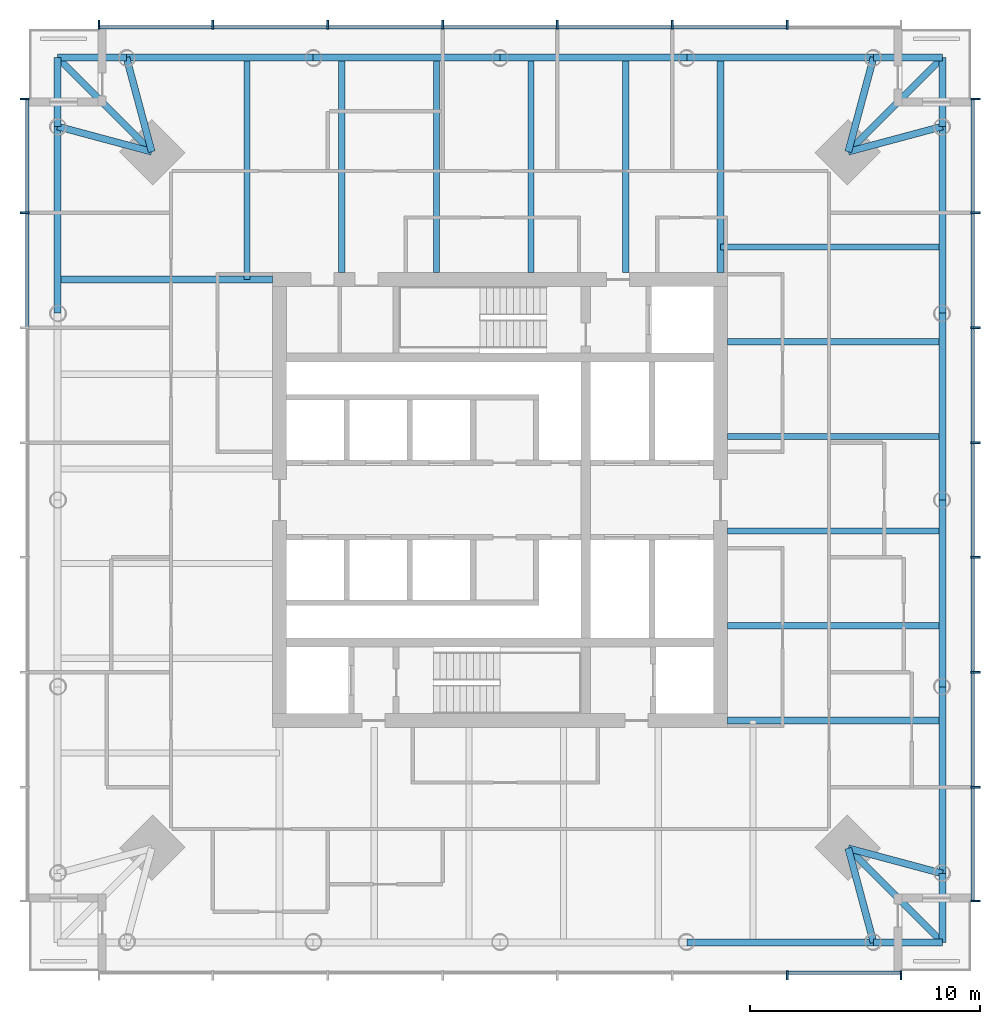
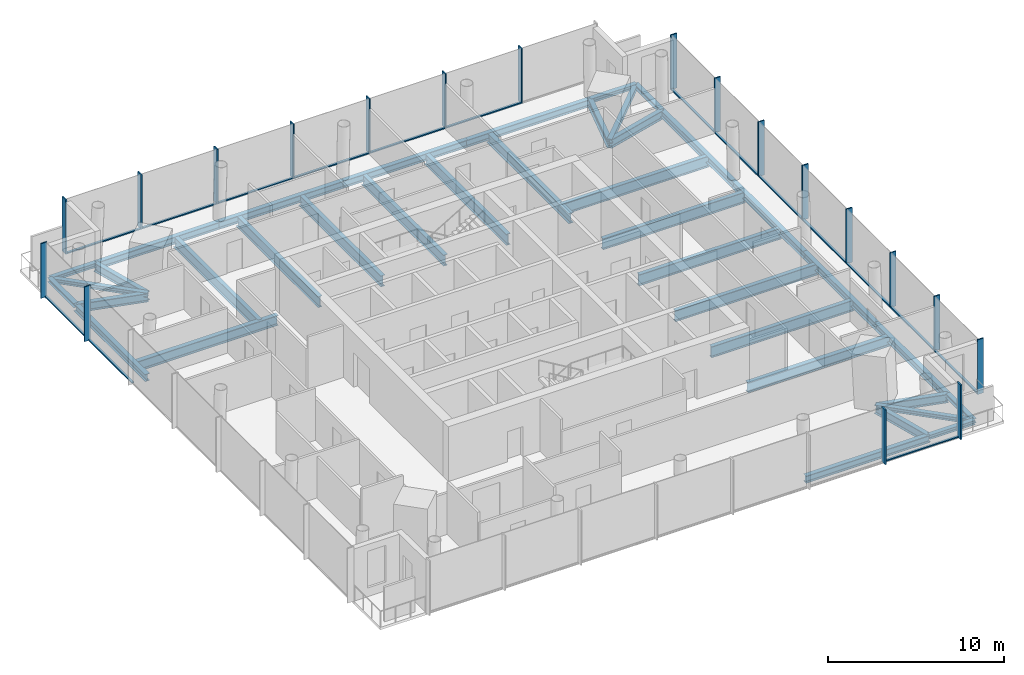
# One storey, part 2 of 8: 38 beams, 35 members, 4 elements without a shape of their own.
"""IFC4 building model written with IfcOpenShell, lengths in metres."""

from ifc_helpers import new_model, si_unit, direction, frame, origin, origin_2d, place, context, subcontext, project, spatial, rectangle, i_section, extrude, material, material_profile, profile_set, type_object, element, aggregate, save


model = new_model("IFC4")

# Units and contexts
model_context = context("Model", 3, precision=1e-05, world=origin(), true_north=direction((0.0, 1.0)))
body_context = subcontext(model_context, "Body", "Model", "MODEL_VIEW")
ifc_project = project(units=[si_unit("LENGTHUNIT", "METRE"), si_unit("AREAUNIT", "SQUARE_METRE"), si_unit("VOLUMEUNIT", "CUBIC_METRE"), si_unit("PLANEANGLEUNIT", "RADIAN"), si_unit("MASSUNIT", "GRAM", prefix="KILO")], contexts=[model_context])

# Site, building, storey
site_placement = place(None, origin())
site = spatial("IfcSite", under=ifc_project, at=site_placement, CompositionType="ELEMENT")
building_placement = place(site_placement, origin())
building = spatial("IfcBuilding", under=site, at=building_placement, Name="Ostroluk Exchange", CompositionType="ELEMENT")
storey_placement = place(building_placement, frame((0.0, 0.0, 169.199951171875)))
storey = spatial("IfcBuildingStorey", under=building, at=storey_placement, Name="L43", CompositionType="ELEMENT", Elevation=169.199951171875)

# Beams
ifc_material_1 = material(Name="Steel S355", Category="steel")
ifc_material_profile_1 = material_profile(ifc_material_1, i_section(OverallWidth=0.300048828125, OverallDepth=0.300048828125, WebThickness=0.010986328125, FlangeThickness=0.01904296875, FilletRadius=0.027099609375, at=origin_2d()), Name="HEB 300")
ifc_profile_set_1 = profile_set([ifc_material_profile_1], Name="Steel S355")
beam_type_1 = type_object("IfcBeamType", Name="Balcony beam HEB 300", PredefinedType="BEAM", material=ifc_profile_set_1)
for number, where, z_axis, x_axis, name in (
    (1, (64.264404296875, 62.264404296875, -0.329833984375), (0.0, 1.0, 0.0), (-1.0, 0.0, 0.0), "T1 east balcony beam a"),
    (2, (61.264404296875, 65.264404296875, -0.329833984375), (1.0, 0.0, 0.0), (0.0, 1.0, 0.0), "T1 east balcony beam b"),
):
    element("IfcBeam", number, at=place(storey_placement, frame(where, z_axis=z_axis, x_axis=x_axis)), inside=storey, type_object=beam_type_1, Name=name, PredefinedType="BEAM", context=body_context, shape_type="SweptSolid", body=[
        extrude(i_section(OverallWidth=0.300048828125, OverallDepth=0.300048828125, WebThickness=0.010986328125, FlangeThickness=0.01904296875, FilletRadius=0.027099609375, at=origin_2d()), origin(), (0.0, 0.0, 1.0), 3.0),
    ])
beam_1_placement = place(storey_placement, frame((60.164306640625, 61.164306640625, -0.329833984375), z_axis=(0.707106781187, 0.707106781187, 0.0), x_axis=(-0.707106781187, 0.707106781187, 0.0)))
element("IfcBeam", 3, at=beam_1_placement, inside=storey, type_object=beam_type_1, Name="T1 east balcony beam c", PredefinedType="BEAM", context=body_context, shape_type="SweptSolid", body=[
    extrude(i_section(OverallWidth=0.300048828125, OverallDepth=0.300048828125, WebThickness=0.010986328125, FlangeThickness=0.01904296875, FilletRadius=0.027099609375, at=origin_2d()), origin(), (0.0, 0.0, 1.0), 5.79833984375),
])
for number, where, z_axis, x_axis, name in (
    (4, (28.735595703125, 65.264404296875, -0.329833984375), (-1.0, 0.0, 0.0), (0.0, -1.0, 0.0), "T1 north balcony beam a"),
    (5, (25.735595703125, 62.264404296875, -0.329833984375), (0.0, 1.0, 0.0), (-1.0, 0.0, 0.0), "T1 north balcony beam b"),
):
    element("IfcBeam", number, at=place(storey_placement, frame(where, z_axis=z_axis, x_axis=x_axis)), inside=storey, type_object=beam_type_1, Name=name, PredefinedType="BEAM", context=body_context, shape_type="SweptSolid", body=[
        extrude(i_section(OverallWidth=0.300048828125, OverallDepth=0.300048828125, WebThickness=0.010986328125, FlangeThickness=0.01904296875, FilletRadius=0.027099609375, at=origin_2d()), origin(), (0.0, 0.0, 1.0), 3.0),
    ])
beam_2_placement = place(storey_placement, frame((29.835693359375, 61.164306640625, -0.329833984375), z_axis=(-0.707106781187, 0.707106781187, 0.0), x_axis=(-0.707106781187, -0.707106781187, 0.0)))
element("IfcBeam", 6, at=beam_2_placement, inside=storey, type_object=beam_type_1, Name="T1 north balcony beam c", PredefinedType="BEAM", context=body_context, shape_type="SweptSolid", body=[
    extrude(i_section(OverallWidth=0.300048828125, OverallDepth=0.300048828125, WebThickness=0.010986328125, FlangeThickness=0.01904296875, FilletRadius=0.027099609375, at=origin_2d()), origin(), (0.0, 0.0, 1.0), 5.79833984375),
])
for number, where, z_axis, x_axis, name in (
    (7, (61.264404296875, 26.735595703125, -0.329833984375), (1.0, 0.0, 0.0), (0.0, 1.0, 0.0), "T1 south balcony beam a"),
    (8, (64.264404296875, 29.735595703125, -0.329833984375), (0.0, -1.0, 0.0), (1.0, 0.0, 0.0), "T1 south balcony beam b"),
):
    element("IfcBeam", number, at=place(storey_placement, frame(where, z_axis=z_axis, x_axis=x_axis)), inside=storey, type_object=beam_type_1, Name=name, PredefinedType="BEAM", context=body_context, shape_type="SweptSolid", body=[
        extrude(i_section(OverallWidth=0.300048828125, OverallDepth=0.300048828125, WebThickness=0.010986328125, FlangeThickness=0.01904296875, FilletRadius=0.027099609375, at=origin_2d()), origin(), (0.0, 0.0, 1.0), 3.0),
    ])
beam_3_placement = place(storey_placement, frame((60.164306640625, 30.835693359375, -0.329833984375), z_axis=(0.707106781187, -0.707106781187, 0.0), x_axis=(0.707106781187, 0.707106781187, 0.0)))
element("IfcBeam", 9, at=beam_3_placement, inside=storey, type_object=beam_type_1, Name="T1 south balcony beam c", PredefinedType="BEAM", context=body_context, shape_type="SweptSolid", body=[
    extrude(i_section(OverallWidth=0.300048828125, OverallDepth=0.300048828125, WebThickness=0.010986328125, FlangeThickness=0.01904296875, FilletRadius=0.027099609375, at=origin_2d()), origin(), (0.0, 0.0, 1.0), 5.79833984375),
])
ifc_material_2 = material(Name="Steel S355", Category="steel")
ifc_material_profile_2 = material_profile(ifc_material_2, i_section(OverallWidth=0.300048828125, OverallDepth=0.60009765625, WebThickness=0.015380859375, FlangeThickness=0.030029296875, FilletRadius=0.027099609375, at=origin_2d()), Name="HEB 600")
ifc_profile_set_2 = profile_set([ifc_material_profile_2], Name="Steel S355")
beam_type_2 = type_object("IfcBeamType", Name="Corner edge beam HEB 600", PredefinedType="SPANDREL", material=ifc_profile_set_2)
for number, where, z_axis, x_axis, name in (
    (10, (60.164306640625, 61.164306640625, -0.47998046875), (0.965838624319, 0.259144268261, 0.0), (-0.259144268261, 0.965838624319, 0.0), "T1 east corner edge beam a"),
    (11, (60.164306640625, 61.164306640625, -0.47998046875), (0.259144268261, 0.965838624319, 0.0), (-0.965838624319, 0.259144268261, 0.0), "T1 east corner edge beam b"),
    (12, (29.835693359375, 61.164306640625, -0.47998046875), (-0.259144268261, 0.965838624319, 0.0), (-0.965838624319, -0.259144268261, 0.0), "T1 north corner edge beam a"),
    (13, (29.835693359375, 61.164306640625, -0.47998046875), (-0.965838624319, 0.259144268261, 0.0), (-0.259144268261, -0.965838624319, 0.0), "T1 north corner edge beam b"),
    (14, (60.164306640625, 30.835693359375, -0.47998046875), (0.259144268261, -0.965838624319, 0.0), (0.965838624319, 0.259144268261, 0.0), "T1 south corner edge beam a"),
    (15, (60.164306640625, 30.835693359375, -0.47998046875), (0.965838624319, -0.259144268261, 0.0), (0.259144268261, 0.965838624319, 0.0), "T1 south corner edge beam b"),
):
    element("IfcBeam", number, at=place(storey_placement, frame(where, z_axis=z_axis, x_axis=x_axis)), inside=storey, type_object=beam_type_2, Name=name, PredefinedType="SPANDREL", context=body_context, shape_type="SweptSolid", body=[
        extrude(i_section(OverallWidth=0.300048828125, OverallDepth=0.60009765625, WebThickness=0.015380859375, FlangeThickness=0.030029296875, FilletRadius=0.027099609375, at=origin_2d()), origin(), (0.0, 0.0, 1.0), 4.2451171875),
    ])
ifc_material_3 = material(Name="Steel S355", Category="steel")
ifc_material_profile_3 = material_profile(ifc_material_3, i_section(OverallWidth=0.26806640625, OverallDepth=0.77001953125, WebThickness=0.015625, FlangeThickness=0.025390625, FilletRadius=0.01708984375, at=origin_2d()), Name="IPE 750x196")
ifc_profile_set_3 = profile_set([ifc_material_profile_3], Name="Steel S355")
beam_type_3 = type_object("IfcBeamType", Name="Floor beam IPE 750x196", PredefinedType="BEAM", material=ifc_profile_set_3)
for number, where, z_axis, x_axis, name in (
    (16, (54.89990234375, 40.5234375, -0.56494140625), (1.0, 0.0, 0.0), (0.0, 1.0, 0.0), "T1 east floor beam 1"),
    (17, (54.89990234375, 44.64697265625, -0.56494140625), (1.0, 0.0, 0.0), (0.0, 1.0, 0.0), "T1 east floor beam 2"),
    (18, (54.89990234375, 48.7705078125, -0.56494140625), (1.0, 0.0, 0.0), (0.0, 1.0, 0.0), "T1 east floor beam 3"),
    (19, (54.89990234375, 52.893798828125, -0.56494140625), (1.0, 0.0, 0.0), (0.0, 1.0, 0.0), "T1 east floor beam 4"),
):
    element("IfcBeam", number, at=place(storey_placement, frame(where, z_axis=z_axis, x_axis=x_axis)), inside=storey, type_object=beam_type_3, Name=name, PredefinedType="BEAM", context=body_context, shape_type="SweptSolid", body=[
        extrude(i_section(OverallWidth=0.26806640625, OverallDepth=0.77001953125, WebThickness=0.015625, FlangeThickness=0.025390625, FilletRadius=0.01708984375, at=origin_2d()), origin(), (0.0, 0.0, 1.0), 9.364501953125),
    ])
beam_4_placement = place(storey_placement, frame((54.60009765625, 57.017333984375, -0.56494140625), z_axis=(1.0, 0.0, 0.0), x_axis=(0.0, 1.0, 0.0)))
element("IfcBeam", 20, at=beam_4_placement, inside=storey, type_object=beam_type_3, Name="T1 east floor beam 5", PredefinedType="BEAM", context=body_context, shape_type="SweptSolid", body=[
    extrude(i_section(OverallWidth=0.26806640625, OverallDepth=0.77001953125, WebThickness=0.015625, FlangeThickness=0.025390625, FilletRadius=0.01708984375, at=origin_2d()), origin(), (0.0, 0.0, 1.0), 9.664306640625),
])
for number, where, z_axis, x_axis, name in (
    (21, (50.4765625, 55.89990234375, -0.56494140625), (0.0, 1.0, 0.0), (-1.0, 0.0, 0.0), "T1 north floor beam 1"),
    (22, (46.35302734375, 55.89990234375, -0.56494140625), (0.0, 1.0, 0.0), (-1.0, 0.0, 0.0), "T1 north floor beam 2"),
    (23, (42.2294921875, 55.89990234375, -0.56494140625), (0.0, 1.0, 0.0), (-1.0, 0.0, 0.0), "T1 north floor beam 3"),
    (24, (38.106201171875, 55.89990234375, -0.56494140625), (0.0, 1.0, 0.0), (-1.0, 0.0, 0.0), "T1 north floor beam 4"),
):
    element("IfcBeam", number, at=place(storey_placement, frame(where, z_axis=z_axis, x_axis=x_axis)), inside=storey, type_object=beam_type_3, Name=name, PredefinedType="BEAM", context=body_context, shape_type="SweptSolid", body=[
        extrude(i_section(OverallWidth=0.26806640625, OverallDepth=0.77001953125, WebThickness=0.015625, FlangeThickness=0.025390625, FilletRadius=0.01708984375, at=origin_2d()), origin(), (0.0, 0.0, 1.0), 9.364501953125),
    ])
beam_5_placement = place(storey_placement, frame((33.982666015625, 55.60009765625, -0.56494140625), z_axis=(0.0, 1.0, 0.0), x_axis=(-1.0, 0.0, 0.0)))
element("IfcBeam", 25, at=beam_5_placement, inside=storey, type_object=beam_type_3, Name="T1 north floor beam 5", PredefinedType="BEAM", context=body_context, shape_type="SweptSolid", body=[
    extrude(i_section(OverallWidth=0.26806640625, OverallDepth=0.77001953125, WebThickness=0.015625, FlangeThickness=0.025390625, FilletRadius=0.01708984375, at=origin_2d()), origin(), (0.0, 0.0, 1.0), 9.664306640625),
])
ifc_material_4 = material(Name="Steel S355", Category="steel")
ifc_material_profile_4 = material_profile(ifc_material_4, i_section(OverallWidth=0.300048828125, OverallDepth=0.699951171875, WebThickness=0.01708984375, FlangeThickness=0.031982421875, FilletRadius=0.027099609375, at=origin_2d()), Name="HEB 700")
ifc_profile_set_4 = profile_set([ifc_material_profile_4], Name="Steel S355")
beam_type_4 = type_object("IfcBeamType", Name="Girder HEB 700", PredefinedType="BEAM", material=ifc_profile_set_4)
for number, where, z_axis, x_axis, name in (
    (26, (54.60009765625, 55.89990234375, -0.530029296875), (0.0, 1.0, 0.0), (-1.0, 0.0, 0.0), "T1 east girder"),
    (27, (35.10009765625, 55.60009765625, -0.530029296875), (-1.0, 0.0, 0.0), (0.0, -1.0, 0.0), "T1 north girder"),
    (28, (54.89990234375, 36.39990234375, -0.530029296875), (1.0, 0.0, 0.0), (0.0, 1.0, 0.0), "T1 south girder"),
):
    element("IfcBeam", number, at=place(storey_placement, frame(where, z_axis=z_axis, x_axis=x_axis)), inside=storey, type_object=beam_type_4, Name=name, PredefinedType="BEAM", context=body_context, shape_type="SweptSolid", body=[
        extrude(i_section(OverallWidth=0.300048828125, OverallDepth=0.699951171875, WebThickness=0.01708984375, FlangeThickness=0.031982421875, FilletRadius=0.027099609375, at=origin_2d()), origin(), (0.0, 0.0, 1.0), 9.364501953125),
    ])
ifc_material_5 = material(Name="Steel S355", Category="steel")
ifc_material_profile_5 = material_profile(ifc_material_5, i_section(OverallWidth=0.300048828125, OverallDepth=0.5, WebThickness=0.014404296875, FlangeThickness=0.028076171875, FilletRadius=0.027099609375, at=origin_2d()), Name="HEB 500")
ifc_profile_set_5 = profile_set([ifc_material_profile_5], Name="Steel S355")
beam_type_5 = type_object("IfcBeamType", Name="Moment-connected edge beam HEB 500", PredefinedType="SPANDREL", material=ifc_profile_set_5)
beam_6_placement = place(storey_placement, frame((64.264404296875, 29.735595703125, -0.429931640625), z_axis=(0.0, 1.0, 0.0), x_axis=(-1.0, 0.0, 0.0)))
element("IfcBeam", 29, at=beam_6_placement, inside=storey, type_object=beam_type_5, Name="T1 east edge beam 1", PredefinedType="SPANDREL", context=body_context, shape_type="SweptSolid", body=[
    extrude(i_section(OverallWidth=0.300048828125, OverallDepth=0.5, WebThickness=0.014404296875, FlangeThickness=0.028076171875, FilletRadius=0.027099609375, at=origin_2d()), origin(), (0.0, 0.0, 1.0), 8.13232421875),
])
for number, where, z_axis, x_axis, name in (
    (30, (64.264404296875, 37.867919921875, -0.429931640625), (0.0, 1.0, 0.0), (-1.0, 0.0, 0.0), "T1 east edge beam 2"),
    (31, (64.264404296875, 46.0, -0.429931640625), (0.0, 1.0, 0.0), (-1.0, 0.0, 0.0), "T1 east edge beam 3"),
):
    element("IfcBeam", number, at=place(storey_placement, frame(where, z_axis=z_axis, x_axis=x_axis)), inside=storey, type_object=beam_type_5, Name=name, PredefinedType="SPANDREL", context=body_context, shape_type="SweptSolid", body=[
        extrude(i_section(OverallWidth=0.300048828125, OverallDepth=0.5, WebThickness=0.014404296875, FlangeThickness=0.028076171875, FilletRadius=0.027099609375, at=origin_2d()), origin(), (0.0, 0.0, 1.0), 8.132080078125),
    ])
for number, where, z_axis, x_axis, name in (
    (32, (64.264404296875, 54.132080078125, -0.429931640625), (0.0, 1.0, 0.0), (-1.0, 0.0, 0.0), "T1 east edge beam 4"),
    (33, (61.264404296875, 65.264404296875, -0.429931640625), (-1.0, 0.0, 0.0), (0.0, -1.0, 0.0), "T1 north edge beam 1"),
):
    element("IfcBeam", number, at=place(storey_placement, frame(where, z_axis=z_axis, x_axis=x_axis)), inside=storey, type_object=beam_type_5, Name=name, PredefinedType="SPANDREL", context=body_context, shape_type="SweptSolid", body=[
        extrude(i_section(OverallWidth=0.300048828125, OverallDepth=0.5, WebThickness=0.014404296875, FlangeThickness=0.028076171875, FilletRadius=0.027099609375, at=origin_2d()), origin(), (0.0, 0.0, 1.0), 8.13232421875),
    ])
for number, where, z_axis, x_axis, name in (
    (34, (53.132080078125, 65.264404296875, -0.429931640625), (-1.0, 0.0, 0.0), (0.0, -1.0, 0.0), "T1 north edge beam 2"),
    (35, (45.0, 65.264404296875, -0.429931640625), (-1.0, 0.0, 0.0), (0.0, -1.0, 0.0), "T1 north edge beam 3"),
):
    element("IfcBeam", number, at=place(storey_placement, frame(where, z_axis=z_axis, x_axis=x_axis)), inside=storey, type_object=beam_type_5, Name=name, PredefinedType="SPANDREL", context=body_context, shape_type="SweptSolid", body=[
        extrude(i_section(OverallWidth=0.300048828125, OverallDepth=0.5, WebThickness=0.014404296875, FlangeThickness=0.028076171875, FilletRadius=0.027099609375, at=origin_2d()), origin(), (0.0, 0.0, 1.0), 8.132080078125),
    ])
for number, where, z_axis, x_axis, name in (
    (36, (36.867919921875, 65.264404296875, -0.429931640625), (-1.0, 0.0, 0.0), (0.0, -1.0, 0.0), "T1 north edge beam 4"),
    (37, (25.735595703125, 62.264404296875, -0.429931640625), (0.0, -1.0, 0.0), (1.0, 0.0, 0.0), "T1 west edge beam 1"),
    (38, (53.132080078125, 26.735595703125, -0.429931640625), (1.0, 0.0, 0.0), (0.0, 1.0, 0.0), "T1 south edge beam 4"),
):
    element("IfcBeam", number, at=place(storey_placement, frame(where, z_axis=z_axis, x_axis=x_axis)), inside=storey, type_object=beam_type_5, Name=name, PredefinedType="SPANDREL", context=body_context, shape_type="SweptSolid", body=[
        extrude(i_section(OverallWidth=0.300048828125, OverallDepth=0.5, WebThickness=0.014404296875, FlangeThickness=0.028076171875, FilletRadius=0.027099609375, at=origin_2d()), origin(), (0.0, 0.0, 1.0), 8.13232421875),
    ])

# Curtain wall, member
ifc_material_6 = material(Name="Laminated clear glass", Category="glass")
curtain_wall_type = type_object("IfcCurtainWallType", Name="Office tower facade", PredefinedType="USERDEFINED", material=ifc_material_6)
curtain_wall_1_placement = place(storey_placement, origin())
curtain_wall_1 = element("IfcCurtainWall", 39, at=curtain_wall_1_placement, inside=storey, type_object=curtain_wall_type, Name="Office tower south facade L43", ObjectType="UNITISED CURTAIN WALL", PredefinedType="USERDEFINED")
ifc_material_7 = material(Name="Aluminium mullion", Category="aluminium")
ifc_material_profile_6 = material_profile(ifc_material_7, rectangle(XDim=0.14990234375, YDim=0.080078125, at=origin_2d()), Name="Sill transom 80 x 150")
ifc_profile_set_6 = profile_set([ifc_material_profile_6], Name="Aluminium mullion")
member_type_1 = type_object("IfcMemberType", Name="Sill transom 80 x 150", PredefinedType="USERDEFINED", material=ifc_profile_set_6)
member_1_placement = place(storey_placement, frame((57.5400390625, 25.425048828125, 0.0400390625), z_axis=(1.0, 0.0, 0.0), x_axis=(0.0, 1.0, 0.0)))
member_1 = element("IfcMember", 40, at=member_1_placement, type_object=member_type_1, Name="CW-O1 transom 7.1", ObjectType="TRANSOM", PredefinedType="USERDEFINED", context=body_context, shape_type="SweptSolid", body=[
    extrude(rectangle(XDim=0.14990234375, YDim=0.080078125, at=origin_2d()), origin(), (0.0, 0.0, 1.0), 4.8798828125),
])

# Curtain wall, members
curtain_wall_2_placement = place(storey_placement, origin())
curtain_wall_2 = element("IfcCurtainWall", 41, at=curtain_wall_2_placement, inside=storey, type_object=curtain_wall_type, Name="Office tower east facade L43", ObjectType="UNITISED CURTAIN WALL", PredefinedType="USERDEFINED")
member_2_placement = place(storey_placement, frame((65.574951171875, 28.580078125, 0.0400390625), z_axis=(0.0, 1.0, 0.0), x_axis=(-1.0, 0.0, 0.0)))
member_2 = element("IfcMember", 42, at=member_2_placement, type_object=member_type_1, Name="CW-O1 transom 1.1", ObjectType="TRANSOM", PredefinedType="USERDEFINED", context=body_context, shape_type="SweptSolid", body=[
    extrude(rectangle(XDim=0.14990234375, YDim=0.080078125, at=origin_2d()), origin(), (0.0, 0.0, 1.0), 4.8798828125),
])
member_3_placement = place(storey_placement, frame((65.574951171875, 33.5400390625, 0.0400390625), z_axis=(0.0, 1.0, 0.0), x_axis=(-1.0, 0.0, 0.0)))
member_3 = element("IfcMember", 43, at=member_3_placement, type_object=member_type_1, Name="CW-O1 transom 2.1", ObjectType="TRANSOM", PredefinedType="USERDEFINED", context=body_context, shape_type="SweptSolid", body=[
    extrude(rectangle(XDim=0.14990234375, YDim=0.080078125, at=origin_2d()), origin(), (0.0, 0.0, 1.0), 4.919921875),
])
member_4_placement = place(storey_placement, frame((65.574951171875, 38.5400390625, 0.0400390625), z_axis=(0.0, 1.0, 0.0), x_axis=(-1.0, 0.0, 0.0)))
member_4 = element("IfcMember", 44, at=member_4_placement, type_object=member_type_1, Name="CW-O1 transom 3.1", ObjectType="TRANSOM", PredefinedType="USERDEFINED", context=body_context, shape_type="SweptSolid", body=[
    extrude(rectangle(XDim=0.14990234375, YDim=0.080078125, at=origin_2d()), origin(), (0.0, 0.0, 1.0), 4.919921875),
])
member_5_placement = place(storey_placement, frame((65.574951171875, 43.5400390625, 0.0400390625), z_axis=(0.0, 1.0, 0.0), x_axis=(-1.0, 0.0, 0.0)))
member_5 = element("IfcMember", 45, at=member_5_placement, type_object=member_type_1, Name="CW-O1 transom 4.1", ObjectType="TRANSOM", PredefinedType="USERDEFINED", context=body_context, shape_type="SweptSolid", body=[
    extrude(rectangle(XDim=0.14990234375, YDim=0.080078125, at=origin_2d()), origin(), (0.0, 0.0, 1.0), 4.919921875),
])
member_6_placement = place(storey_placement, frame((65.574951171875, 48.5400390625, 0.0400390625), z_axis=(0.0, 1.0, 0.0), x_axis=(-1.0, 0.0, 0.0)))
member_6 = element("IfcMember", 46, at=member_6_placement, type_object=member_type_1, Name="CW-O1 transom 5.1", ObjectType="TRANSOM", PredefinedType="USERDEFINED", context=body_context, shape_type="SweptSolid", body=[
    extrude(rectangle(XDim=0.14990234375, YDim=0.080078125, at=origin_2d()), origin(), (0.0, 0.0, 1.0), 4.919921875),
])
member_7_placement = place(storey_placement, frame((65.574951171875, 53.5400390625, 0.0400390625), z_axis=(0.0, 1.0, 0.0), x_axis=(-1.0, 0.0, 0.0)))
member_7 = element("IfcMember", 47, at=member_7_placement, type_object=member_type_1, Name="CW-O1 transom 6.1", ObjectType="TRANSOM", PredefinedType="USERDEFINED", context=body_context, shape_type="SweptSolid", body=[
    extrude(rectangle(XDim=0.14990234375, YDim=0.080078125, at=origin_2d()), origin(), (0.0, 0.0, 1.0), 4.919921875),
])
member_8_placement = place(storey_placement, frame((65.574951171875, 58.5400390625, 0.0400390625), z_axis=(0.0, 1.0, 0.0), x_axis=(-1.0, 0.0, 0.0)))
member_8 = element("IfcMember", 48, at=member_8_placement, type_object=member_type_1, Name="CW-O1 transom 7.1", ObjectType="TRANSOM", PredefinedType="USERDEFINED", context=body_context, shape_type="SweptSolid", body=[
    extrude(rectangle(XDim=0.14990234375, YDim=0.080078125, at=origin_2d()), origin(), (0.0, 0.0, 1.0), 4.8798828125),
])

curtain_wall_3_placement = place(storey_placement, origin())
curtain_wall_3 = element("IfcCurtainWall", 49, at=curtain_wall_3_placement, inside=storey, type_object=curtain_wall_type, Name="Office tower north facade L43", ObjectType="UNITISED CURTAIN WALL", PredefinedType="USERDEFINED")
member_9_placement = place(storey_placement, frame((57.4599609375, 66.574951171875, 0.0400390625), z_axis=(-1.0, 0.0, 0.0), x_axis=(0.0, -1.0, 0.0)))
member_9 = element("IfcMember", 50, at=member_9_placement, type_object=member_type_1, Name="CW-O1 transom 2.1", ObjectType="TRANSOM", PredefinedType="USERDEFINED", context=body_context, shape_type="SweptSolid", body=[
    extrude(rectangle(XDim=0.14990234375, YDim=0.080078125, at=origin_2d()), origin(), (0.0, 0.0, 1.0), 4.919921875),
])
member_10_placement = place(storey_placement, frame((52.4599609375, 66.574951171875, 0.0400390625), z_axis=(-1.0, 0.0, 0.0), x_axis=(0.0, -1.0, 0.0)))
member_10 = element("IfcMember", 51, at=member_10_placement, type_object=member_type_1, Name="CW-O1 transom 3.1", ObjectType="TRANSOM", PredefinedType="USERDEFINED", context=body_context, shape_type="SweptSolid", body=[
    extrude(rectangle(XDim=0.14990234375, YDim=0.080078125, at=origin_2d()), origin(), (0.0, 0.0, 1.0), 4.919921875),
])
member_11_placement = place(storey_placement, frame((47.4599609375, 66.574951171875, 0.0400390625), z_axis=(-1.0, 0.0, 0.0), x_axis=(0.0, -1.0, 0.0)))
member_11 = element("IfcMember", 52, at=member_11_placement, type_object=member_type_1, Name="CW-O1 transom 4.1", ObjectType="TRANSOM", PredefinedType="USERDEFINED", context=body_context, shape_type="SweptSolid", body=[
    extrude(rectangle(XDim=0.14990234375, YDim=0.080078125, at=origin_2d()), origin(), (0.0, 0.0, 1.0), 4.919921875),
])
member_12_placement = place(storey_placement, frame((42.4599609375, 66.574951171875, 0.0400390625), z_axis=(-1.0, 0.0, 0.0), x_axis=(0.0, -1.0, 0.0)))
member_12 = element("IfcMember", 53, at=member_12_placement, type_object=member_type_1, Name="CW-O1 transom 5.1", ObjectType="TRANSOM", PredefinedType="USERDEFINED", context=body_context, shape_type="SweptSolid", body=[
    extrude(rectangle(XDim=0.14990234375, YDim=0.080078125, at=origin_2d()), origin(), (0.0, 0.0, 1.0), 4.919921875),
])
member_13_placement = place(storey_placement, frame((37.4599609375, 66.574951171875, 0.0400390625), z_axis=(-1.0, 0.0, 0.0), x_axis=(0.0, -1.0, 0.0)))
member_13 = element("IfcMember", 54, at=member_13_placement, type_object=member_type_1, Name="CW-O1 transom 6.1", ObjectType="TRANSOM", PredefinedType="USERDEFINED", context=body_context, shape_type="SweptSolid", body=[
    extrude(rectangle(XDim=0.14990234375, YDim=0.080078125, at=origin_2d()), origin(), (0.0, 0.0, 1.0), 4.919921875),
])
member_14_placement = place(storey_placement, frame((32.4599609375, 66.574951171875, 0.0400390625), z_axis=(-1.0, 0.0, 0.0), x_axis=(0.0, -1.0, 0.0)))
member_14 = element("IfcMember", 55, at=member_14_placement, type_object=member_type_1, Name="CW-O1 transom 7.1", ObjectType="TRANSOM", PredefinedType="USERDEFINED", context=body_context, shape_type="SweptSolid", body=[
    extrude(rectangle(XDim=0.14990234375, YDim=0.080078125, at=origin_2d()), origin(), (0.0, 0.0, 1.0), 4.8798828125),
])

curtain_wall_4_placement = place(storey_placement, origin())
curtain_wall_4 = element("IfcCurtainWall", 56, at=curtain_wall_4_placement, inside=storey, type_object=curtain_wall_type, Name="Office tower west facade L43", ObjectType="UNITISED CURTAIN WALL", PredefinedType="USERDEFINED")
member_15_placement = place(storey_placement, frame((24.425048828125, 63.419921875, 0.0400390625), z_axis=(0.0, -1.0, 0.0), x_axis=(1.0, 0.0, 0.0)))
member_15 = element("IfcMember", 57, at=member_15_placement, type_object=member_type_1, Name="CW-O1 transom 1.1", ObjectType="TRANSOM", PredefinedType="USERDEFINED", context=body_context, shape_type="SweptSolid", body=[
    extrude(rectangle(XDim=0.14990234375, YDim=0.080078125, at=origin_2d()), origin(), (0.0, 0.0, 1.0), 4.8798828125),
])
member_16_placement = place(storey_placement, frame((24.425048828125, 58.4599609375, 0.0400390625), z_axis=(0.0, -1.0, 0.0), x_axis=(1.0, 0.0, 0.0)))
member_16 = element("IfcMember", 58, at=member_16_placement, type_object=member_type_1, Name="CW-O1 transom 2.1", ObjectType="TRANSOM", PredefinedType="USERDEFINED", context=body_context, shape_type="SweptSolid", body=[
    extrude(rectangle(XDim=0.14990234375, YDim=0.080078125, at=origin_2d()), origin(), (0.0, 0.0, 1.0), 4.919921875),
])

# Member
ifc_material_8 = material(Name="Aluminium mullion with limestone facing", Category="masonry")
ifc_material_profile_7 = material_profile(ifc_material_8, rectangle(XDim=0.39990234375, YDim=0.080078125, at=origin_2d()), Name="Tracery mullion 80 x 400")
ifc_profile_set_7 = profile_set([ifc_material_profile_7], Name="Aluminium mullion with limestone facing")
member_type_2 = type_object("IfcMemberType", Name="Tracery mullion 80 x 400", PredefinedType="MULLION", material=ifc_profile_set_7)
member_17_placement = place(storey_placement, frame((57.5, 25.300048828125, 0.0), z_axis=(0.0, 0.0, 1.0), x_axis=(0.0, 1.0, 0.0)))
member_17 = element("IfcMember", 59, at=member_17_placement, type_object=member_type_2, Name="CW-O1 mullion 7", PredefinedType="MULLION", context=body_context, shape_type="SweptSolid", body=[
    extrude(rectangle(XDim=0.39990234375, YDim=0.080078125, at=origin_2d()), origin(), (0.0, 0.0, 1.0), 3.800048828125),
])

member_18_placement = place(storey_placement, frame((62.4599609375, 25.300048828125, 0.0), z_axis=(0.0, 0.0, 1.0), x_axis=(0.0, 1.0, 0.0)))
member_18 = element("IfcMember", 60, at=member_18_placement, type_object=member_type_2, Name="CW-O1 mullion 8", PredefinedType="MULLION", context=body_context, shape_type="SweptSolid", body=[
    extrude(rectangle(XDim=0.39990234375, YDim=0.080078125, at=origin_2d()), origin(), (0.0, 0.0, 1.0), 3.800048828125),
])

aggregate(curtain_wall_1, [member_17, member_18, member_1])

member_19_placement = place(storey_placement, frame((65.699951171875, 28.5400390625, 0.0), z_axis=(0.0, 0.0, 1.0), x_axis=(-1.0, 0.0, 0.0)))
member_19 = element("IfcMember", 61, at=member_19_placement, type_object=member_type_2, Name="CW-O1 mullion 1", PredefinedType="MULLION", context=body_context, shape_type="SweptSolid", body=[
    extrude(rectangle(XDim=0.39990234375, YDim=0.080078125, at=origin_2d()), origin(), (0.0, 0.0, 1.0), 3.800048828125),
])

member_20_placement = place(storey_placement, frame((65.699951171875, 33.5, 0.0), z_axis=(0.0, 0.0, 1.0), x_axis=(-1.0, 0.0, 0.0)))
member_20 = element("IfcMember", 62, at=member_20_placement, type_object=member_type_2, Name="CW-O1 mullion 2", PredefinedType="MULLION", context=body_context, shape_type="SweptSolid", body=[
    extrude(rectangle(XDim=0.39990234375, YDim=0.080078125, at=origin_2d()), origin(), (0.0, 0.0, 1.0), 3.800048828125),
])

member_21_placement = place(storey_placement, frame((65.699951171875, 38.5, 0.0), z_axis=(0.0, 0.0, 1.0), x_axis=(-1.0, 0.0, 0.0)))
member_21 = element("IfcMember", 63, at=member_21_placement, type_object=member_type_2, Name="CW-O1 mullion 3", PredefinedType="MULLION", context=body_context, shape_type="SweptSolid", body=[
    extrude(rectangle(XDim=0.39990234375, YDim=0.080078125, at=origin_2d()), origin(), (0.0, 0.0, 1.0), 3.800048828125),
])

member_22_placement = place(storey_placement, frame((65.699951171875, 43.5, 0.0), z_axis=(0.0, 0.0, 1.0), x_axis=(-1.0, 0.0, 0.0)))
member_22 = element("IfcMember", 64, at=member_22_placement, type_object=member_type_2, Name="CW-O1 mullion 4", PredefinedType="MULLION", context=body_context, shape_type="SweptSolid", body=[
    extrude(rectangle(XDim=0.39990234375, YDim=0.080078125, at=origin_2d()), origin(), (0.0, 0.0, 1.0), 3.800048828125),
])

member_23_placement = place(storey_placement, frame((65.699951171875, 48.5, 0.0), z_axis=(0.0, 0.0, 1.0), x_axis=(-1.0, 0.0, 0.0)))
member_23 = element("IfcMember", 65, at=member_23_placement, type_object=member_type_2, Name="CW-O1 mullion 5", PredefinedType="MULLION", context=body_context, shape_type="SweptSolid", body=[
    extrude(rectangle(XDim=0.39990234375, YDim=0.080078125, at=origin_2d()), origin(), (0.0, 0.0, 1.0), 3.800048828125),
])

member_24_placement = place(storey_placement, frame((65.699951171875, 53.5, 0.0), z_axis=(0.0, 0.0, 1.0), x_axis=(-1.0, 0.0, 0.0)))
member_24 = element("IfcMember", 66, at=member_24_placement, type_object=member_type_2, Name="CW-O1 mullion 6", PredefinedType="MULLION", context=body_context, shape_type="SweptSolid", body=[
    extrude(rectangle(XDim=0.39990234375, YDim=0.080078125, at=origin_2d()), origin(), (0.0, 0.0, 1.0), 3.800048828125),
])

member_25_placement = place(storey_placement, frame((65.699951171875, 58.5, 0.0), z_axis=(0.0, 0.0, 1.0), x_axis=(-1.0, 0.0, 0.0)))
member_25 = element("IfcMember", 67, at=member_25_placement, type_object=member_type_2, Name="CW-O1 mullion 7", PredefinedType="MULLION", context=body_context, shape_type="SweptSolid", body=[
    extrude(rectangle(XDim=0.39990234375, YDim=0.080078125, at=origin_2d()), origin(), (0.0, 0.0, 1.0), 3.800048828125),
])

member_26_placement = place(storey_placement, frame((65.699951171875, 63.4599609375, 0.0), z_axis=(0.0, 0.0, 1.0), x_axis=(-1.0, 0.0, 0.0)))
member_26 = element("IfcMember", 68, at=member_26_placement, type_object=member_type_2, Name="CW-O1 mullion 8", PredefinedType="MULLION", context=body_context, shape_type="SweptSolid", body=[
    extrude(rectangle(XDim=0.39990234375, YDim=0.080078125, at=origin_2d()), origin(), (0.0, 0.0, 1.0), 3.800048828125),
])

aggregate(curtain_wall_2, [member_19, member_20, member_21, member_22, member_23, member_24, member_25, member_26, member_2, member_3, member_4, member_5, member_6, member_7, member_8])

member_27_placement = place(storey_placement, frame((57.5, 66.699951171875, 0.0), z_axis=(0.0, 0.0, 1.0), x_axis=(0.0, -1.0, 0.0)))
member_27 = element("IfcMember", 69, at=member_27_placement, type_object=member_type_2, Name="CW-O1 mullion 2", PredefinedType="MULLION", context=body_context, shape_type="SweptSolid", body=[
    extrude(rectangle(XDim=0.39990234375, YDim=0.080078125, at=origin_2d()), origin(), (0.0, 0.0, 1.0), 3.800048828125),
])

member_28_placement = place(storey_placement, frame((52.5, 66.699951171875, 0.0), z_axis=(0.0, 0.0, 1.0), x_axis=(0.0, -1.0, 0.0)))
member_28 = element("IfcMember", 70, at=member_28_placement, type_object=member_type_2, Name="CW-O1 mullion 3", PredefinedType="MULLION", context=body_context, shape_type="SweptSolid", body=[
    extrude(rectangle(XDim=0.39990234375, YDim=0.080078125, at=origin_2d()), origin(), (0.0, 0.0, 1.0), 3.800048828125),
])

member_29_placement = place(storey_placement, frame((47.5, 66.699951171875, 0.0), z_axis=(0.0, 0.0, 1.0), x_axis=(0.0, -1.0, 0.0)))
member_29 = element("IfcMember", 71, at=member_29_placement, type_object=member_type_2, Name="CW-O1 mullion 4", PredefinedType="MULLION", context=body_context, shape_type="SweptSolid", body=[
    extrude(rectangle(XDim=0.39990234375, YDim=0.080078125, at=origin_2d()), origin(), (0.0, 0.0, 1.0), 3.800048828125),
])

member_30_placement = place(storey_placement, frame((42.5, 66.699951171875, 0.0), z_axis=(0.0, 0.0, 1.0), x_axis=(0.0, -1.0, 0.0)))
member_30 = element("IfcMember", 72, at=member_30_placement, type_object=member_type_2, Name="CW-O1 mullion 5", PredefinedType="MULLION", context=body_context, shape_type="SweptSolid", body=[
    extrude(rectangle(XDim=0.39990234375, YDim=0.080078125, at=origin_2d()), origin(), (0.0, 0.0, 1.0), 3.800048828125),
])

member_31_placement = place(storey_placement, frame((37.5, 66.699951171875, 0.0), z_axis=(0.0, 0.0, 1.0), x_axis=(0.0, -1.0, 0.0)))
member_31 = element("IfcMember", 73, at=member_31_placement, type_object=member_type_2, Name="CW-O1 mullion 6", PredefinedType="MULLION", context=body_context, shape_type="SweptSolid", body=[
    extrude(rectangle(XDim=0.39990234375, YDim=0.080078125, at=origin_2d()), origin(), (0.0, 0.0, 1.0), 3.800048828125),
])

member_32_placement = place(storey_placement, frame((32.5, 66.699951171875, 0.0), z_axis=(0.0, 0.0, 1.0), x_axis=(0.0, -1.0, 0.0)))
member_32 = element("IfcMember", 74, at=member_32_placement, type_object=member_type_2, Name="CW-O1 mullion 7", PredefinedType="MULLION", context=body_context, shape_type="SweptSolid", body=[
    extrude(rectangle(XDim=0.39990234375, YDim=0.080078125, at=origin_2d()), origin(), (0.0, 0.0, 1.0), 3.800048828125),
])

member_33_placement = place(storey_placement, frame((27.5400390625, 66.699951171875, 0.0), z_axis=(0.0, 0.0, 1.0), x_axis=(0.0, -1.0, 0.0)))
member_33 = element("IfcMember", 75, at=member_33_placement, type_object=member_type_2, Name="CW-O1 mullion 8", PredefinedType="MULLION", context=body_context, shape_type="SweptSolid", body=[
    extrude(rectangle(XDim=0.39990234375, YDim=0.080078125, at=origin_2d()), origin(), (0.0, 0.0, 1.0), 3.800048828125),
])

aggregate(curtain_wall_3, [member_27, member_28, member_29, member_30, member_31, member_32, member_33, member_9, member_10, member_11, member_12, member_13, member_14])

member_34_placement = place(storey_placement, frame((24.300048828125, 63.4599609375, 0.0), z_axis=(0.0, 0.0, 1.0), x_axis=(1.0, 0.0, 0.0)))
member_34 = element("IfcMember", 76, at=member_34_placement, type_object=member_type_2, Name="CW-O1 mullion 1", PredefinedType="MULLION", context=body_context, shape_type="SweptSolid", body=[
    extrude(rectangle(XDim=0.39990234375, YDim=0.080078125, at=origin_2d()), origin(), (0.0, 0.0, 1.0), 3.800048828125),
])

member_35_placement = place(storey_placement, frame((24.300048828125, 58.5, 0.0), z_axis=(0.0, 0.0, 1.0), x_axis=(1.0, 0.0, 0.0)))
member_35 = element("IfcMember", 77, at=member_35_placement, type_object=member_type_2, Name="CW-O1 mullion 2", PredefinedType="MULLION", context=body_context, shape_type="SweptSolid", body=[
    extrude(rectangle(XDim=0.39990234375, YDim=0.080078125, at=origin_2d()), origin(), (0.0, 0.0, 1.0), 3.800048828125),
])

aggregate(curtain_wall_4, [member_34, member_35, member_15, member_16])

save(model, "model.ifc")
